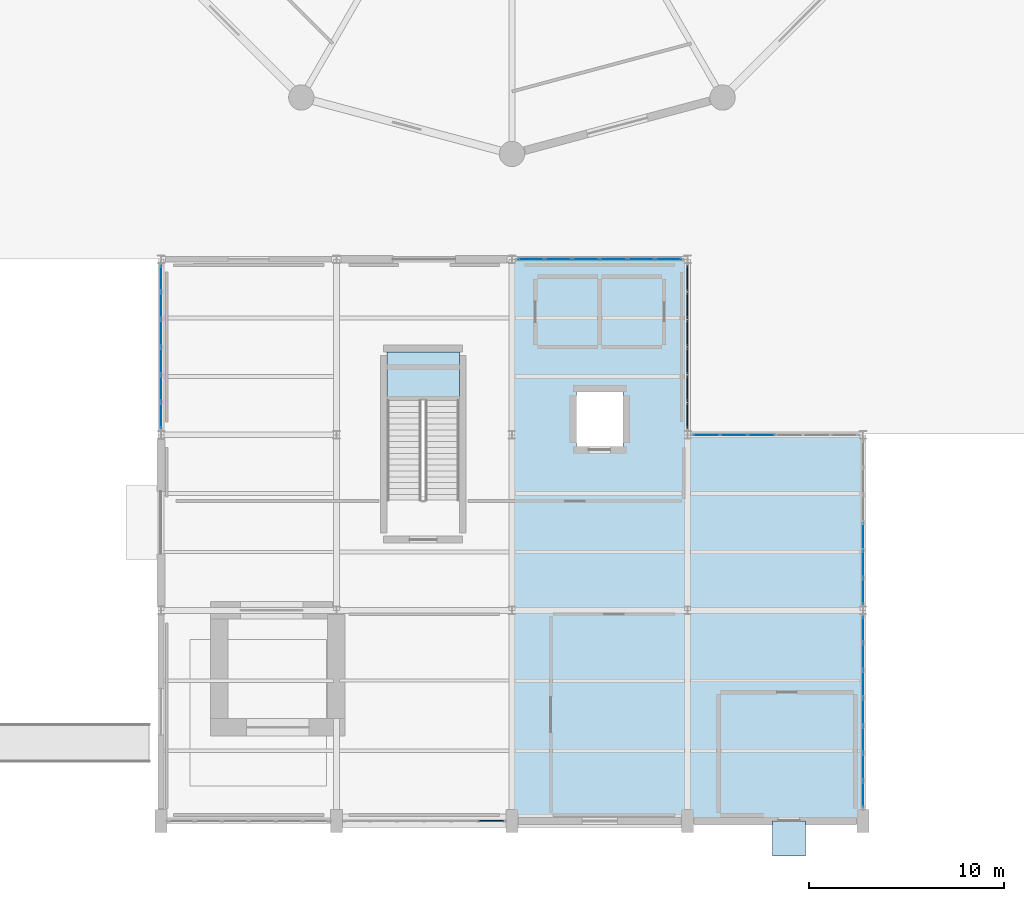
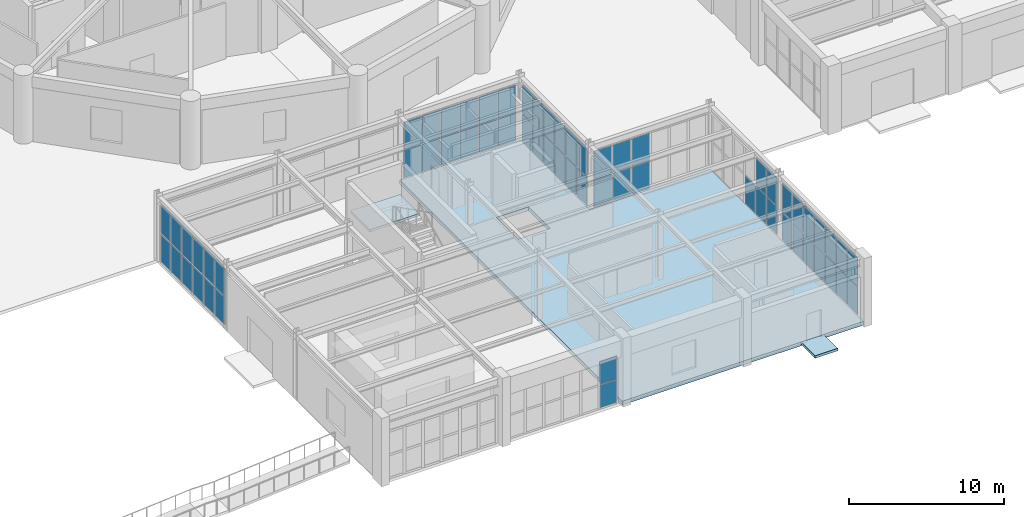
# One storey, part 103 of 140: 63 plates, 3 slabs, 8 elements without a shape of their own.
"""IFC4 building model written with IfcOpenShell, lengths in metres."""

from ifc_helpers import new_model, si_unit, direction, frame, origin, origin_2d, place, context, subcontext, project, spatial, polyline, rectangle, outline, extrude, material, layer, layer_set, type_object, element, aggregate, save


model = new_model("IFC4")

# Units and contexts
model_context = context("Model", 3, precision=1e-05, world=origin(), true_north=direction((0.0, 1.0)))
body_context = subcontext(model_context, "Body", "Model", "MODEL_VIEW")
ifc_project = project(units=[si_unit("LENGTHUNIT", "METRE"), si_unit("AREAUNIT", "SQUARE_METRE"), si_unit("VOLUMEUNIT", "CUBIC_METRE"), si_unit("PLANEANGLEUNIT", "RADIAN"), si_unit("MASSUNIT", "GRAM", prefix="KILO")], contexts=[model_context])

# Site, building, storey
site_placement = place(None, origin())
site = spatial("IfcSite", under=ifc_project, at=site_placement, CompositionType="ELEMENT")
building_placement = place(site_placement, origin())
building = spatial("IfcBuilding", under=site, at=building_placement, Name="Haizhuo Lancet Aquarium", CompositionType="ELEMENT")
storey_placement = place(building_placement, origin())
storey = spatial("IfcBuildingStorey", under=building, at=storey_placement, Name="L00", CompositionType="ELEMENT", Elevation=0.0)

# Curtain wall, plates
ifc_material_1 = material(Name="Aluminium 6063-T6", Category="aluminium")
curtain_wall_type_1 = type_object("IfcCurtainWallType", Name="CWO-8510x4530", PredefinedType="NOTDEFINED", material=ifc_material_1)
curtain_wall_1_placement = place(storey_placement, origin())
curtain_wall_1 = element("IfcCurtainWall", 1, at=curtain_wall_1_placement, inside=storey, type_object=curtain_wall_type_1, Name="L00 curtain wall CW-V4-L00-085", PredefinedType="NOTDEFINED")
ifc_material_2 = material(Name="Laminated Low-E Glass", Category="glass")
ifc_layer_1 = layer(ifc_material_2, 0.028076171875)
ifc_layer_set_1 = layer_set([ifc_layer_1], Name="Laminated Low-E Glass")
plate_type_1 = type_object("IfcPlateType", Name="CW-PNL-1", PredefinedType="CURTAIN_PANEL", material=ifc_layer_set_1)
plate_1_placement = place(storey_placement, frame((9.969970703125, -36.0, 0.06494140625), z_axis=(0.0, 0.0, 1.0), x_axis=(1.0, 0.0, 0.0)))
plate_1 = element("IfcPlate", 2, at=plate_1_placement, type_object=plate_type_1, Name="CWO-85x45 panel 1.1", PredefinedType="CURTAIN_PANEL", context=body_context, shape_type="SweptSolid", body=[
    extrude(rectangle(XDim=1.321044921875, YDim=0.028076171875, at=origin_2d()), origin(), (0.0, 0.0, 1.0), 2.16796875),
])
plate_2_placement = place(storey_placement, frame((9.969970703125, -36.0, 2.298583984375), z_axis=(0.0, 0.0, 1.0), x_axis=(1.0, 0.0, 0.0)))
plate_2 = element("IfcPlate", 3, at=plate_2_placement, type_object=plate_type_1, Name="CWO-85x45 panel 1.2", PredefinedType="CURTAIN_PANEL", context=body_context, shape_type="SweptSolid", body=[
    extrude(rectangle(XDim=1.321044921875, YDim=0.028076171875, at=origin_2d()), origin(), (0.0, 0.0, 1.0), 2.1689453125),
])
plate_3_placement = place(storey_placement, frame((11.3720703125, -36.0, 0.06494140625), z_axis=(0.0, 0.0, 1.0), x_axis=(1.0, 0.0, 0.0)))
plate_3 = element("IfcPlate", 4, at=plate_3_placement, type_object=plate_type_1, Name="CWO-85x45 panel 2.1", PredefinedType="CURTAIN_PANEL", context=body_context, shape_type="SweptSolid", body=[
    extrude(rectangle(XDim=1.35302734375, YDim=0.028076171875, at=origin_2d()), origin(), (0.0, 0.0, 1.0), 2.16796875),
])
plate_4_placement = place(storey_placement, frame((11.3720703125, -36.0, 2.298583984375), z_axis=(0.0, 0.0, 1.0), x_axis=(1.0, 0.0, 0.0)))
plate_4 = element("IfcPlate", 5, at=plate_4_placement, type_object=plate_type_1, Name="CWO-85x45 panel 2.2", PredefinedType="CURTAIN_PANEL", context=body_context, shape_type="SweptSolid", body=[
    extrude(rectangle(XDim=1.35302734375, YDim=0.028076171875, at=origin_2d()), origin(), (0.0, 0.0, 1.0), 2.1689453125),
])
plate_5_placement = place(storey_placement, frame((12.791015625, -36.0, 0.06494140625), z_axis=(0.0, 0.0, 1.0), x_axis=(1.0, 0.0, 0.0)))
plate_5 = element("IfcPlate", 6, at=plate_5_placement, type_object=plate_type_1, Name="CWO-85x45 panel 3.1", PredefinedType="CURTAIN_PANEL", context=body_context, shape_type="SweptSolid", body=[
    extrude(rectangle(XDim=1.35302734375, YDim=0.028076171875, at=origin_2d()), origin(), (0.0, 0.0, 1.0), 2.16796875),
])
plate_6_placement = place(storey_placement, frame((12.791015625, -36.0, 2.298583984375), z_axis=(0.0, 0.0, 1.0), x_axis=(1.0, 0.0, 0.0)))
plate_6 = element("IfcPlate", 7, at=plate_6_placement, type_object=plate_type_1, Name="CWO-85x45 panel 3.2", PredefinedType="CURTAIN_PANEL", context=body_context, shape_type="SweptSolid", body=[
    extrude(rectangle(XDim=1.35302734375, YDim=0.028076171875, at=origin_2d()), origin(), (0.0, 0.0, 1.0), 2.1689453125),
])
aggregate(curtain_wall_1, [plate_1, plate_2, plate_3, plate_4, plate_5, plate_6])

curtain_wall_type_2 = type_object("IfcCurtainWallType", Name="CWO-8510x4630", PredefinedType="NOTDEFINED", material=ifc_material_1)
curtain_wall_2_placement = place(storey_placement, origin())
curtain_wall_2 = element("IfcCurtainWall", 8, at=curtain_wall_2_placement, inside=storey, type_object=curtain_wall_type_2, Name="L00 curtain wall CW-V4-L00-086", PredefinedType="NOTDEFINED")
ifc_layer_2 = layer(ifc_material_2, 0.033935546875)
ifc_layer_set_2 = layer_set([ifc_layer_2], Name="Laminated Low-E Glass")
plate_type_2 = type_object("IfcPlateType", Name="CW-PNL-2", PredefinedType="CURTAIN_PANEL", material=ifc_layer_set_2)
plate_7_placement = place(storey_placement, frame((18.0, -41.208984375, 0.07568359375), z_axis=(0.0, 0.0, 1.0), x_axis=(0.0, -1.0, 0.0)))
plate_7 = element("IfcPlate", 9, at=plate_7_placement, type_object=plate_type_2, Name="CWO-85x46 panel 4.1", PredefinedType="CURTAIN_PANEL", context=body_context, shape_type="SweptSolid", body=[
    extrude(rectangle(XDim=1.343017578125, YDim=0.033935546875, at=origin_2d()), origin(), (0.0, 0.0, 1.0), 2.202880859375),
])
plate_8_placement = place(storey_placement, frame((18.0, -42.626953125, 0.07568359375), z_axis=(0.0, 0.0, 1.0), x_axis=(0.0, -1.0, 0.0)))
plate_8 = element("IfcPlate", 10, at=plate_8_placement, type_object=plate_type_2, Name="CWO-85x46 panel 5.1", PredefinedType="CURTAIN_PANEL", context=body_context, shape_type="SweptSolid", body=[
    extrude(rectangle(XDim=1.343017578125, YDim=0.033935546875, at=origin_2d()), origin(), (0.0, 0.0, 1.0), 2.202880859375),
])
plate_9_placement = place(storey_placement, frame((18.0, -42.626953125, 2.35302734375), z_axis=(0.0, 0.0, 1.0), x_axis=(0.0, -1.0, 0.0)))
plate_9 = element("IfcPlate", 11, at=plate_9_placement, type_object=plate_type_2, Name="CWO-85x46 panel 5.2", PredefinedType="CURTAIN_PANEL", context=body_context, shape_type="SweptSolid", body=[
    extrude(rectangle(XDim=1.343017578125, YDim=0.033935546875, at=origin_2d()), origin(), (0.0, 0.0, 1.0), 2.2041015625),
])
plate_10_placement = place(storey_placement, frame((18.0, -44.027099609375, 0.07568359375), z_axis=(0.0, 0.0, 1.0), x_axis=(0.0, -1.0, 0.0)))
plate_10 = element("IfcPlate", 12, at=plate_10_placement, type_object=plate_type_2, Name="CWO-85x46 panel 6.1", PredefinedType="CURTAIN_PANEL", context=body_context, shape_type="SweptSolid", body=[
    extrude(rectangle(XDim=1.305908203125, YDim=0.033935546875, at=origin_2d()), origin(), (0.0, 0.0, 1.0), 2.202880859375),
])
plate_11_placement = place(storey_placement, frame((18.0, -44.027099609375, 2.35302734375), z_axis=(0.0, 0.0, 1.0), x_axis=(0.0, -1.0, 0.0)))
plate_11 = element("IfcPlate", 13, at=plate_11_placement, type_object=plate_type_2, Name="CWO-85x46 panel 6.2", PredefinedType="CURTAIN_PANEL", context=body_context, shape_type="SweptSolid", body=[
    extrude(rectangle(XDim=1.305908203125, YDim=0.033935546875, at=origin_2d()), origin(), (0.0, 0.0, 1.0), 2.2041015625),
])
aggregate(curtain_wall_2, [plate_7, plate_8, plate_9, plate_10, plate_11])

curtain_wall_3_placement = place(storey_placement, origin())
curtain_wall_3 = element("IfcCurtainWall", 14, at=curtain_wall_3_placement, inside=storey, type_object=curtain_wall_type_2, Name="L00 curtain wall CW-V4-L00-090", PredefinedType="NOTDEFINED")
plate_12_placement = place(storey_placement, frame((-18.0, -35.02587890625, 0.080078125), z_axis=(0.0, 0.0, 1.0), x_axis=(0.0, 1.0, 0.0)))
plate_12 = element("IfcPlate", 15, at=plate_12_placement, type_object=plate_type_2, Name="CWO-85x46 panel 1.1", PredefinedType="CURTAIN_PANEL", context=body_context, shape_type="SweptSolid", body=[
    extrude(rectangle(XDim=1.298095703125, YDim=0.033935546875, at=origin_2d()), origin(), (0.0, 0.0, 1.0), 2.196044921875),
])
plate_13_placement = place(storey_placement, frame((-18.0, -35.02587890625, 2.35595703125), z_axis=(0.0, 0.0, 1.0), x_axis=(0.0, 1.0, 0.0)))
plate_13 = element("IfcPlate", 16, at=plate_13_placement, type_object=plate_type_2, Name="CWO-85x46 panel 1.2", PredefinedType="CURTAIN_PANEL", context=body_context, shape_type="SweptSolid", body=[
    extrude(rectangle(XDim=1.298095703125, YDim=0.033935546875, at=origin_2d()), origin(), (0.0, 0.0, 1.0), 2.196044921875),
])
plate_14_placement = place(storey_placement, frame((-18.0, -33.6279296875, 0.080078125), z_axis=(0.0, 0.0, 1.0), x_axis=(0.0, 1.0, 0.0)))
plate_14 = element("IfcPlate", 17, at=plate_14_placement, type_object=plate_type_2, Name="CWO-85x46 panel 2.1", PredefinedType="CURTAIN_PANEL", context=body_context, shape_type="SweptSolid", body=[
    extrude(rectangle(XDim=1.337890625, YDim=0.033935546875, at=origin_2d()), origin(), (0.0, 0.0, 1.0), 2.196044921875),
])
plate_15_placement = place(storey_placement, frame((-18.0, -33.6279296875, 2.35595703125), z_axis=(0.0, 0.0, 1.0), x_axis=(0.0, 1.0, 0.0)))
plate_15 = element("IfcPlate", 18, at=plate_15_placement, type_object=plate_type_2, Name="CWO-85x46 panel 2.2", PredefinedType="CURTAIN_PANEL", context=body_context, shape_type="SweptSolid", body=[
    extrude(rectangle(XDim=1.337890625, YDim=0.033935546875, at=origin_2d()), origin(), (0.0, 0.0, 1.0), 2.196044921875),
])
plate_16_placement = place(storey_placement, frame((-18.0, -32.208984375, 0.080078125), z_axis=(0.0, 0.0, 1.0), x_axis=(0.0, 1.0, 0.0)))
plate_16 = element("IfcPlate", 19, at=plate_16_placement, type_object=plate_type_2, Name="CWO-85x46 panel 3.1", PredefinedType="CURTAIN_PANEL", context=body_context, shape_type="SweptSolid", body=[
    extrude(rectangle(XDim=1.337890625, YDim=0.033935546875, at=origin_2d()), origin(), (0.0, 0.0, 1.0), 2.196044921875),
])
plate_17_placement = place(storey_placement, frame((-18.0, -32.208984375, 2.35595703125), z_axis=(0.0, 0.0, 1.0), x_axis=(0.0, 1.0, 0.0)))
plate_17 = element("IfcPlate", 20, at=plate_17_placement, type_object=plate_type_2, Name="CWO-85x46 panel 3.2", PredefinedType="CURTAIN_PANEL", context=body_context, shape_type="SweptSolid", body=[
    extrude(rectangle(XDim=1.337890625, YDim=0.033935546875, at=origin_2d()), origin(), (0.0, 0.0, 1.0), 2.196044921875),
])
plate_18_placement = place(storey_placement, frame((-18.0, -30.791015625, 0.080078125), z_axis=(0.0, 0.0, 1.0), x_axis=(0.0, 1.0, 0.0)))
plate_18 = element("IfcPlate", 21, at=plate_18_placement, type_object=plate_type_2, Name="CWO-85x46 panel 4.1", PredefinedType="CURTAIN_PANEL", context=body_context, shape_type="SweptSolid", body=[
    extrude(rectangle(XDim=1.337890625, YDim=0.033935546875, at=origin_2d()), origin(), (0.0, 0.0, 1.0), 2.196044921875),
])
plate_19_placement = place(storey_placement, frame((-18.0, -30.791015625, 2.35595703125), z_axis=(0.0, 0.0, 1.0), x_axis=(0.0, 1.0, 0.0)))
plate_19 = element("IfcPlate", 22, at=plate_19_placement, type_object=plate_type_2, Name="CWO-85x46 panel 4.2", PredefinedType="CURTAIN_PANEL", context=body_context, shape_type="SweptSolid", body=[
    extrude(rectangle(XDim=1.337890625, YDim=0.033935546875, at=origin_2d()), origin(), (0.0, 0.0, 1.0), 2.196044921875),
])
plate_20_placement = place(storey_placement, frame((-18.0, -29.373046875, 0.080078125), z_axis=(0.0, 0.0, 1.0), x_axis=(0.0, 1.0, 0.0)))
plate_20 = element("IfcPlate", 23, at=plate_20_placement, type_object=plate_type_2, Name="CWO-85x46 panel 5.1", PredefinedType="CURTAIN_PANEL", context=body_context, shape_type="SweptSolid", body=[
    extrude(rectangle(XDim=1.337890625, YDim=0.033935546875, at=origin_2d()), origin(), (0.0, 0.0, 1.0), 2.196044921875),
])
plate_21_placement = place(storey_placement, frame((-18.0, -29.373046875, 2.35595703125), z_axis=(0.0, 0.0, 1.0), x_axis=(0.0, 1.0, 0.0)))
plate_21 = element("IfcPlate", 24, at=plate_21_placement, type_object=plate_type_2, Name="CWO-85x46 panel 5.2", PredefinedType="CURTAIN_PANEL", context=body_context, shape_type="SweptSolid", body=[
    extrude(rectangle(XDim=1.337890625, YDim=0.033935546875, at=origin_2d()), origin(), (0.0, 0.0, 1.0), 2.196044921875),
])
plate_22_placement = place(storey_placement, frame((-18.0, -27.97412109375, 0.080078125), z_axis=(0.0, 0.0, 1.0), x_axis=(0.0, 1.0, 0.0)))
plate_22 = element("IfcPlate", 25, at=plate_22_placement, type_object=plate_type_2, Name="CWO-85x46 panel 6.1", PredefinedType="CURTAIN_PANEL", context=body_context, shape_type="SweptSolid", body=[
    extrude(rectangle(XDim=1.298095703125, YDim=0.033935546875, at=origin_2d()), origin(), (0.0, 0.0, 1.0), 2.196044921875),
])
plate_23_placement = place(storey_placement, frame((-18.0, -27.97412109375, 2.35595703125), z_axis=(0.0, 0.0, 1.0), x_axis=(0.0, 1.0, 0.0)))
plate_23 = element("IfcPlate", 26, at=plate_23_placement, type_object=plate_type_2, Name="CWO-85x46 panel 6.2", PredefinedType="CURTAIN_PANEL", context=body_context, shape_type="SweptSolid", body=[
    extrude(rectangle(XDim=1.298095703125, YDim=0.033935546875, at=origin_2d()), origin(), (0.0, 0.0, 1.0), 2.196044921875),
])
aggregate(curtain_wall_3, [plate_12, plate_13, plate_14, plate_15, plate_16, plate_17, plate_18, plate_19, plate_20, plate_21, plate_22, plate_23])

curtain_wall_4_placement = place(storey_placement, origin())
curtain_wall_4 = element("IfcCurtainWall", 27, at=curtain_wall_4_placement, inside=storey, type_object=curtain_wall_type_1, Name="L00 curtain wall CW-V4-L00-083", PredefinedType="NOTDEFINED")
ifc_layer_3 = layer(ifc_material_2, 0.0419921875)
ifc_layer_set_3 = layer_set([ifc_layer_3], Name="Laminated Low-E Glass")
plate_type_3 = type_object("IfcPlateType", Name="CW-PNL-3", PredefinedType="CURTAIN_PANEL", material=ifc_layer_set_3)
plate_24_placement = place(storey_placement, frame((0.972900390625, -27.0, 0.07568359375), z_axis=(0.0, 0.0, 1.0), x_axis=(1.0, 0.0, 0.0)))
plate_24 = element("IfcPlate", 28, at=plate_24_placement, type_object=plate_type_3, Name="CWO-85x45 panel 1.1", PredefinedType="CURTAIN_PANEL", context=body_context, shape_type="SweptSolid", body=[
    extrude(rectangle(XDim=1.305908203125, YDim=0.0419921875, at=origin_2d()), origin(), (0.0, 0.0, 1.0), 2.153076171875),
])
plate_25_placement = place(storey_placement, frame((0.972900390625, -27.0, 2.302734375), z_axis=(0.0, 0.0, 1.0), x_axis=(1.0, 0.0, 0.0)))
plate_25 = element("IfcPlate", 29, at=plate_25_placement, type_object=plate_type_3, Name="CWO-85x45 panel 1.2", PredefinedType="CURTAIN_PANEL", context=body_context, shape_type="SweptSolid", body=[
    extrude(rectangle(XDim=1.305908203125, YDim=0.0419921875, at=origin_2d()), origin(), (0.0, 0.0, 1.0), 2.154052734375),
])
plate_26_placement = place(storey_placement, frame((2.373046875, -27.0, 0.07568359375), z_axis=(0.0, 0.0, 1.0), x_axis=(1.0, 0.0, 0.0)))
plate_26 = element("IfcPlate", 30, at=plate_26_placement, type_object=plate_type_3, Name="CWO-85x45 panel 2.1", PredefinedType="CURTAIN_PANEL", context=body_context, shape_type="SweptSolid", body=[
    extrude(rectangle(XDim=1.343017578125, YDim=0.0419921875, at=origin_2d()), origin(), (0.0, 0.0, 1.0), 2.153076171875),
])
plate_27_placement = place(storey_placement, frame((2.373046875, -27.0, 2.302734375), z_axis=(0.0, 0.0, 1.0), x_axis=(1.0, 0.0, 0.0)))
plate_27 = element("IfcPlate", 31, at=plate_27_placement, type_object=plate_type_3, Name="CWO-85x45 panel 2.2", PredefinedType="CURTAIN_PANEL", context=body_context, shape_type="SweptSolid", body=[
    extrude(rectangle(XDim=1.343017578125, YDim=0.0419921875, at=origin_2d()), origin(), (0.0, 0.0, 1.0), 2.154052734375),
])
plate_28_placement = place(storey_placement, frame((3.791015625, -27.0, 0.07568359375), z_axis=(0.0, 0.0, 1.0), x_axis=(1.0, 0.0, 0.0)))
plate_28 = element("IfcPlate", 32, at=plate_28_placement, type_object=plate_type_3, Name="CWO-85x45 panel 3.1", PredefinedType="CURTAIN_PANEL", context=body_context, shape_type="SweptSolid", body=[
    extrude(rectangle(XDim=1.343017578125, YDim=0.0419921875, at=origin_2d()), origin(), (0.0, 0.0, 1.0), 2.153076171875),
])
plate_29_placement = place(storey_placement, frame((3.791015625, -27.0, 2.302734375), z_axis=(0.0, 0.0, 1.0), x_axis=(1.0, 0.0, 0.0)))
plate_29 = element("IfcPlate", 33, at=plate_29_placement, type_object=plate_type_3, Name="CWO-85x45 panel 3.2", PredefinedType="CURTAIN_PANEL", context=body_context, shape_type="SweptSolid", body=[
    extrude(rectangle(XDim=1.343017578125, YDim=0.0419921875, at=origin_2d()), origin(), (0.0, 0.0, 1.0), 2.154052734375),
])
plate_30_placement = place(storey_placement, frame((5.208984375, -27.0, 0.07568359375), z_axis=(0.0, 0.0, 1.0), x_axis=(1.0, 0.0, 0.0)))
plate_30 = element("IfcPlate", 34, at=plate_30_placement, type_object=plate_type_3, Name="CWO-85x45 panel 4.1", PredefinedType="CURTAIN_PANEL", context=body_context, shape_type="SweptSolid", body=[
    extrude(rectangle(XDim=1.343017578125, YDim=0.0419921875, at=origin_2d()), origin(), (0.0, 0.0, 1.0), 2.153076171875),
])
plate_31_placement = place(storey_placement, frame((5.208984375, -27.0, 2.302734375), z_axis=(0.0, 0.0, 1.0), x_axis=(1.0, 0.0, 0.0)))
plate_31 = element("IfcPlate", 35, at=plate_31_placement, type_object=plate_type_3, Name="CWO-85x45 panel 4.2", PredefinedType="CURTAIN_PANEL", context=body_context, shape_type="SweptSolid", body=[
    extrude(rectangle(XDim=1.343017578125, YDim=0.0419921875, at=origin_2d()), origin(), (0.0, 0.0, 1.0), 2.154052734375),
])
plate_32_placement = place(storey_placement, frame((6.6279296875, -27.0, 0.07568359375), z_axis=(0.0, 0.0, 1.0), x_axis=(1.0, 0.0, 0.0)))
plate_32 = element("IfcPlate", 36, at=plate_32_placement, type_object=plate_type_3, Name="CWO-85x45 panel 5.1", PredefinedType="CURTAIN_PANEL", context=body_context, shape_type="SweptSolid", body=[
    extrude(rectangle(XDim=1.343017578125, YDim=0.0419921875, at=origin_2d()), origin(), (0.0, 0.0, 1.0), 2.153076171875),
])
plate_33_placement = place(storey_placement, frame((6.6279296875, -27.0, 2.302734375), z_axis=(0.0, 0.0, 1.0), x_axis=(1.0, 0.0, 0.0)))
plate_33 = element("IfcPlate", 37, at=plate_33_placement, type_object=plate_type_3, Name="CWO-85x45 panel 5.2", PredefinedType="CURTAIN_PANEL", context=body_context, shape_type="SweptSolid", body=[
    extrude(rectangle(XDim=1.343017578125, YDim=0.0419921875, at=origin_2d()), origin(), (0.0, 0.0, 1.0), 2.154052734375),
])
plate_34_placement = place(storey_placement, frame((8.027099609375, -27.0, 0.07568359375), z_axis=(0.0, 0.0, 1.0), x_axis=(1.0, 0.0, 0.0)))
plate_34 = element("IfcPlate", 38, at=plate_34_placement, type_object=plate_type_3, Name="CWO-85x45 panel 6.1", PredefinedType="CURTAIN_PANEL", context=body_context, shape_type="SweptSolid", body=[
    extrude(rectangle(XDim=1.305908203125, YDim=0.0419921875, at=origin_2d()), origin(), (0.0, 0.0, 1.0), 2.153076171875),
])
plate_35_placement = place(storey_placement, frame((8.027099609375, -27.0, 2.302734375), z_axis=(0.0, 0.0, 1.0), x_axis=(1.0, 0.0, 0.0)))
plate_35 = element("IfcPlate", 39, at=plate_35_placement, type_object=plate_type_3, Name="CWO-85x45 panel 6.2", PredefinedType="CURTAIN_PANEL", context=body_context, shape_type="SweptSolid", body=[
    extrude(rectangle(XDim=1.305908203125, YDim=0.0419921875, at=origin_2d()), origin(), (0.0, 0.0, 1.0), 2.154052734375),
])
aggregate(curtain_wall_4, [plate_24, plate_25, plate_26, plate_27, plate_28, plate_29, plate_30, plate_31, plate_32, plate_33, plate_34, plate_35])

curtain_wall_type_3 = type_object("IfcCurtainWallType", Name="CWO-9910x4630", PredefinedType="NOTDEFINED", material=ifc_material_1)
curtain_wall_5_placement = place(storey_placement, origin())
curtain_wall_5 = element("IfcCurtainWall", 40, at=curtain_wall_5_placement, inside=storey, type_object=curtain_wall_type_3, Name="L00 curtain wall CW-V4-L00-087", PredefinedType="NOTDEFINED")
plate_36_placement = place(storey_placement, frame((18.0, -45.972900390625, 0.080078125), z_axis=(0.0, 0.0, 1.0), x_axis=(0.0, -1.0, 0.0)))
plate_36 = element("IfcPlate", 41, at=plate_36_placement, type_object=plate_type_3, Name="CWO-99x46 panel 1.1", PredefinedType="CURTAIN_PANEL", context=body_context, shape_type="SweptSolid", body=[
    extrude(rectangle(XDim=1.2958984375, YDim=0.0419921875, at=origin_2d()), origin(), (0.0, 0.0, 1.0), 2.196044921875),
])
plate_37_placement = place(storey_placement, frame((18.0, -45.972900390625, 2.35595703125), z_axis=(0.0, 0.0, 1.0), x_axis=(0.0, -1.0, 0.0)))
plate_37 = element("IfcPlate", 42, at=plate_37_placement, type_object=plate_type_3, Name="CWO-99x46 panel 1.2", PredefinedType="CURTAIN_PANEL", context=body_context, shape_type="SweptSolid", body=[
    extrude(rectangle(XDim=1.2958984375, YDim=0.0419921875, at=origin_2d()), origin(), (0.0, 0.0, 1.0), 2.196044921875),
])
plate_38_placement = place(storey_placement, frame((18.0, -47.368896484375, 0.080078125), z_axis=(0.0, 0.0, 1.0), x_axis=(0.0, -1.0, 0.0)))
plate_38 = element("IfcPlate", 43, at=plate_38_placement, type_object=plate_type_3, Name="CWO-99x46 panel 2.1", PredefinedType="CURTAIN_PANEL", context=body_context, shape_type="SweptSolid", body=[
    extrude(rectangle(XDim=1.3359375, YDim=0.0419921875, at=origin_2d()), origin(), (0.0, 0.0, 1.0), 2.196044921875),
])
plate_39_placement = place(storey_placement, frame((18.0, -47.368896484375, 2.35595703125), z_axis=(0.0, 0.0, 1.0), x_axis=(0.0, -1.0, 0.0)))
plate_39 = element("IfcPlate", 44, at=plate_39_placement, type_object=plate_type_3, Name="CWO-99x46 panel 2.2", PredefinedType="CURTAIN_PANEL", context=body_context, shape_type="SweptSolid", body=[
    extrude(rectangle(XDim=1.3359375, YDim=0.0419921875, at=origin_2d()), origin(), (0.0, 0.0, 1.0), 2.196044921875),
])
plate_40_placement = place(storey_placement, frame((18.0, -48.783935546875, 0.080078125), z_axis=(0.0, 0.0, 1.0), x_axis=(0.0, -1.0, 0.0)))
plate_40 = element("IfcPlate", 45, at=plate_40_placement, type_object=plate_type_3, Name="CWO-99x46 panel 3.1", PredefinedType="CURTAIN_PANEL", context=body_context, shape_type="SweptSolid", body=[
    extrude(rectangle(XDim=1.3359375, YDim=0.0419921875, at=origin_2d()), origin(), (0.0, 0.0, 1.0), 2.196044921875),
])
plate_41_placement = place(storey_placement, frame((18.0, -48.783935546875, 2.35595703125), z_axis=(0.0, 0.0, 1.0), x_axis=(0.0, -1.0, 0.0)))
plate_41 = element("IfcPlate", 46, at=plate_41_placement, type_object=plate_type_3, Name="CWO-99x46 panel 3.2", PredefinedType="CURTAIN_PANEL", context=body_context, shape_type="SweptSolid", body=[
    extrude(rectangle(XDim=1.3359375, YDim=0.0419921875, at=origin_2d()), origin(), (0.0, 0.0, 1.0), 2.196044921875),
])
plate_42_placement = place(storey_placement, frame((18.0, -50.199951171875, 0.080078125), z_axis=(0.0, 0.0, 1.0), x_axis=(0.0, -1.0, 0.0)))
plate_42 = element("IfcPlate", 47, at=plate_42_placement, type_object=plate_type_3, Name="CWO-99x46 panel 4.1", PredefinedType="CURTAIN_PANEL", context=body_context, shape_type="SweptSolid", body=[
    extrude(rectangle(XDim=1.3359375, YDim=0.0419921875, at=origin_2d()), origin(), (0.0, 0.0, 1.0), 2.196044921875),
])
plate_43_placement = place(storey_placement, frame((18.0, -50.199951171875, 2.35595703125), z_axis=(0.0, 0.0, 1.0), x_axis=(0.0, -1.0, 0.0)))
plate_43 = element("IfcPlate", 48, at=plate_43_placement, type_object=plate_type_3, Name="CWO-99x46 panel 4.2", PredefinedType="CURTAIN_PANEL", context=body_context, shape_type="SweptSolid", body=[
    extrude(rectangle(XDim=1.3359375, YDim=0.0419921875, at=origin_2d()), origin(), (0.0, 0.0, 1.0), 2.196044921875),
])
plate_44_placement = place(storey_placement, frame((18.0, -51.615966796875, 0.080078125), z_axis=(0.0, 0.0, 1.0), x_axis=(0.0, -1.0, 0.0)))
plate_44 = element("IfcPlate", 49, at=plate_44_placement, type_object=plate_type_3, Name="CWO-99x46 panel 5.1", PredefinedType="CURTAIN_PANEL", context=body_context, shape_type="SweptSolid", body=[
    extrude(rectangle(XDim=1.3359375, YDim=0.0419921875, at=origin_2d()), origin(), (0.0, 0.0, 1.0), 2.196044921875),
])
plate_45_placement = place(storey_placement, frame((18.0, -51.615966796875, 2.35595703125), z_axis=(0.0, 0.0, 1.0), x_axis=(0.0, -1.0, 0.0)))
plate_45 = element("IfcPlate", 50, at=plate_45_placement, type_object=plate_type_3, Name="CWO-99x46 panel 5.2", PredefinedType="CURTAIN_PANEL", context=body_context, shape_type="SweptSolid", body=[
    extrude(rectangle(XDim=1.3359375, YDim=0.0419921875, at=origin_2d()), origin(), (0.0, 0.0, 1.0), 2.196044921875),
])
plate_46_placement = place(storey_placement, frame((18.0, -53.031005859375, 0.080078125), z_axis=(0.0, 0.0, 1.0), x_axis=(0.0, -1.0, 0.0)))
plate_46 = element("IfcPlate", 51, at=plate_46_placement, type_object=plate_type_3, Name="CWO-99x46 panel 6.1", PredefinedType="CURTAIN_PANEL", context=body_context, shape_type="SweptSolid", body=[
    extrude(rectangle(XDim=1.3359375, YDim=0.0419921875, at=origin_2d()), origin(), (0.0, 0.0, 1.0), 2.196044921875),
])
plate_47_placement = place(storey_placement, frame((18.0, -53.031005859375, 2.35595703125), z_axis=(0.0, 0.0, 1.0), x_axis=(0.0, -1.0, 0.0)))
plate_47 = element("IfcPlate", 52, at=plate_47_placement, type_object=plate_type_3, Name="CWO-99x46 panel 6.2", PredefinedType="CURTAIN_PANEL", context=body_context, shape_type="SweptSolid", body=[
    extrude(rectangle(XDim=1.3359375, YDim=0.0419921875, at=origin_2d()), origin(), (0.0, 0.0, 1.0), 2.196044921875),
])
plate_48_placement = place(storey_placement, frame((18.0, -54.427001953125, 0.080078125), z_axis=(0.0, 0.0, 1.0), x_axis=(0.0, -1.0, 0.0)))
plate_48 = element("IfcPlate", 53, at=plate_48_placement, type_object=plate_type_3, Name="CWO-99x46 panel 7.1", PredefinedType="CURTAIN_PANEL", context=body_context, shape_type="SweptSolid", body=[
    extrude(rectangle(XDim=1.2958984375, YDim=0.0419921875, at=origin_2d()), origin(), (0.0, 0.0, 1.0), 2.196044921875),
])
plate_49_placement = place(storey_placement, frame((18.0, -54.427001953125, 2.35595703125), z_axis=(0.0, 0.0, 1.0), x_axis=(0.0, -1.0, 0.0)))
plate_49 = element("IfcPlate", 54, at=plate_49_placement, type_object=plate_type_3, Name="CWO-99x46 panel 7.2", PredefinedType="CURTAIN_PANEL", context=body_context, shape_type="SweptSolid", body=[
    extrude(rectangle(XDim=1.2958984375, YDim=0.0419921875, at=origin_2d()), origin(), (0.0, 0.0, 1.0), 2.196044921875),
])
aggregate(curtain_wall_5, [plate_36, plate_37, plate_38, plate_39, plate_40, plate_41, plate_42, plate_43, plate_44, plate_45, plate_46, plate_47, plate_48, plate_49])

curtain_wall_6_placement = place(storey_placement, origin())
curtain_wall_6 = element("IfcCurtainWall", 55, at=curtain_wall_6_placement, inside=storey, type_object=curtain_wall_type_2, Name="L00 curtain wall CW-V4-L00-084", PredefinedType="NOTDEFINED")
ifc_layer_4 = layer(ifc_material_2, 0.052001953125)
ifc_layer_set_4 = layer_set([ifc_layer_4], Name="Laminated Low-E Glass")
plate_type_4 = type_object("IfcPlateType", Name="CW-PNL-4", PredefinedType="CURTAIN_PANEL", material=ifc_layer_set_4)
plate_50_placement = place(storey_placement, frame((9.0, -27.97412109375, 0.080078125), z_axis=(0.0, 0.0, 1.0), x_axis=(0.0, -1.0, 0.0)))
plate_50 = element("IfcPlate", 56, at=plate_50_placement, type_object=plate_type_4, Name="CWO-85x46 panel 1.1", PredefinedType="CURTAIN_PANEL", context=body_context, shape_type="SweptSolid", body=[
    extrude(rectangle(XDim=1.298095703125, YDim=0.052001953125, at=origin_2d()), origin(), (0.0, 0.0, 1.0), 2.196044921875),
])
plate_51_placement = place(storey_placement, frame((9.0, -27.97412109375, 2.35595703125), z_axis=(0.0, 0.0, 1.0), x_axis=(0.0, -1.0, 0.0)))
plate_51 = element("IfcPlate", 57, at=plate_51_placement, type_object=plate_type_4, Name="CWO-85x46 panel 1.2", PredefinedType="CURTAIN_PANEL", context=body_context, shape_type="SweptSolid", body=[
    extrude(rectangle(XDim=1.298095703125, YDim=0.052001953125, at=origin_2d()), origin(), (0.0, 0.0, 1.0), 2.196044921875),
])
plate_52_placement = place(storey_placement, frame((9.0, -29.373046875, 0.080078125), z_axis=(0.0, 0.0, 1.0), x_axis=(0.0, -1.0, 0.0)))
plate_52 = element("IfcPlate", 58, at=plate_52_placement, type_object=plate_type_4, Name="CWO-85x46 panel 2.1", PredefinedType="CURTAIN_PANEL", context=body_context, shape_type="SweptSolid", body=[
    extrude(rectangle(XDim=1.337890625, YDim=0.052001953125, at=origin_2d()), origin(), (0.0, 0.0, 1.0), 2.196044921875),
])
plate_53_placement = place(storey_placement, frame((9.0, -29.373046875, 2.35595703125), z_axis=(0.0, 0.0, 1.0), x_axis=(0.0, -1.0, 0.0)))
plate_53 = element("IfcPlate", 59, at=plate_53_placement, type_object=plate_type_4, Name="CWO-85x46 panel 2.2", PredefinedType="CURTAIN_PANEL", context=body_context, shape_type="SweptSolid", body=[
    extrude(rectangle(XDim=1.337890625, YDim=0.052001953125, at=origin_2d()), origin(), (0.0, 0.0, 1.0), 2.196044921875),
])
plate_54_placement = place(storey_placement, frame((9.0, -30.791015625, 0.080078125), z_axis=(0.0, 0.0, 1.0), x_axis=(0.0, -1.0, 0.0)))
plate_54 = element("IfcPlate", 60, at=plate_54_placement, type_object=plate_type_4, Name="CWO-85x46 panel 3.1", PredefinedType="CURTAIN_PANEL", context=body_context, shape_type="SweptSolid", body=[
    extrude(rectangle(XDim=1.337890625, YDim=0.052001953125, at=origin_2d()), origin(), (0.0, 0.0, 1.0), 2.196044921875),
])
plate_55_placement = place(storey_placement, frame((9.0, -30.791015625, 2.35595703125), z_axis=(0.0, 0.0, 1.0), x_axis=(0.0, -1.0, 0.0)))
plate_55 = element("IfcPlate", 61, at=plate_55_placement, type_object=plate_type_4, Name="CWO-85x46 panel 3.2", PredefinedType="CURTAIN_PANEL", context=body_context, shape_type="SweptSolid", body=[
    extrude(rectangle(XDim=1.337890625, YDim=0.052001953125, at=origin_2d()), origin(), (0.0, 0.0, 1.0), 2.196044921875),
])
plate_56_placement = place(storey_placement, frame((9.0, -32.208984375, 0.080078125), z_axis=(0.0, 0.0, 1.0), x_axis=(0.0, -1.0, 0.0)))
plate_56 = element("IfcPlate", 62, at=plate_56_placement, type_object=plate_type_4, Name="CWO-85x46 panel 4.1", PredefinedType="CURTAIN_PANEL", context=body_context, shape_type="SweptSolid", body=[
    extrude(rectangle(XDim=1.337890625, YDim=0.052001953125, at=origin_2d()), origin(), (0.0, 0.0, 1.0), 2.196044921875),
])
plate_57_placement = place(storey_placement, frame((9.0, -32.208984375, 2.35595703125), z_axis=(0.0, 0.0, 1.0), x_axis=(0.0, -1.0, 0.0)))
plate_57 = element("IfcPlate", 63, at=plate_57_placement, type_object=plate_type_4, Name="CWO-85x46 panel 4.2", PredefinedType="CURTAIN_PANEL", context=body_context, shape_type="SweptSolid", body=[
    extrude(rectangle(XDim=1.337890625, YDim=0.052001953125, at=origin_2d()), origin(), (0.0, 0.0, 1.0), 2.196044921875),
])
plate_58_placement = place(storey_placement, frame((9.0, -33.6279296875, 0.080078125), z_axis=(0.0, 0.0, 1.0), x_axis=(0.0, -1.0, 0.0)))
plate_58 = element("IfcPlate", 64, at=plate_58_placement, type_object=plate_type_4, Name="CWO-85x46 panel 5.1", PredefinedType="CURTAIN_PANEL", context=body_context, shape_type="SweptSolid", body=[
    extrude(rectangle(XDim=1.337890625, YDim=0.052001953125, at=origin_2d()), origin(), (0.0, 0.0, 1.0), 2.196044921875),
])
plate_59_placement = place(storey_placement, frame((9.0, -33.6279296875, 2.35595703125), z_axis=(0.0, 0.0, 1.0), x_axis=(0.0, -1.0, 0.0)))
plate_59 = element("IfcPlate", 65, at=plate_59_placement, type_object=plate_type_4, Name="CWO-85x46 panel 5.2", PredefinedType="CURTAIN_PANEL", context=body_context, shape_type="SweptSolid", body=[
    extrude(rectangle(XDim=1.337890625, YDim=0.052001953125, at=origin_2d()), origin(), (0.0, 0.0, 1.0), 2.196044921875),
])
plate_60_placement = place(storey_placement, frame((9.0, -35.02587890625, 0.080078125), z_axis=(0.0, 0.0, 1.0), x_axis=(0.0, -1.0, 0.0)))
plate_60 = element("IfcPlate", 66, at=plate_60_placement, type_object=plate_type_4, Name="CWO-85x46 panel 6.1", PredefinedType="CURTAIN_PANEL", context=body_context, shape_type="SweptSolid", body=[
    extrude(rectangle(XDim=1.298095703125, YDim=0.052001953125, at=origin_2d()), origin(), (0.0, 0.0, 1.0), 2.196044921875),
])
plate_61_placement = place(storey_placement, frame((9.0, -35.02587890625, 2.35595703125), z_axis=(0.0, 0.0, 1.0), x_axis=(0.0, -1.0, 0.0)))
plate_61 = element("IfcPlate", 67, at=plate_61_placement, type_object=plate_type_4, Name="CWO-85x46 panel 6.2", PredefinedType="CURTAIN_PANEL", context=body_context, shape_type="SweptSolid", body=[
    extrude(rectangle(XDim=1.298095703125, YDim=0.052001953125, at=origin_2d()), origin(), (0.0, 0.0, 1.0), 2.196044921875),
])
aggregate(curtain_wall_6, [plate_50, plate_51, plate_52, plate_53, plate_54, plate_55, plate_56, plate_57, plate_58, plate_59, plate_60, plate_61])

curtain_wall_type_4 = type_object("IfcCurtainWallType", Name="CWO-8310x3770", PredefinedType="NOTDEFINED", material=ifc_material_1)
curtain_wall_7_placement = place(storey_placement, origin())
curtain_wall_7 = element("IfcCurtainWall", 68, at=curtain_wall_7_placement, inside=storey, type_object=curtain_wall_type_4, Name="L00 curtain wall CW-V4-L00-088", PredefinedType="NOTDEFINED")
plate_62_placement = place(storey_placement, frame((-1.053955078125, -55.800048828125, 0.06494140625), z_axis=(0.0, 0.0, 1.0), x_axis=(-1.0, 0.0, 0.0)))
plate_62 = element("IfcPlate", 69, at=plate_62_placement, type_object=plate_type_4, Name="CWO-83x37 panel 1.1", PredefinedType="CURTAIN_PANEL", context=body_context, shape_type="SweptSolid", body=[
    extrude(rectangle(XDim=1.287109375, YDim=0.052001953125, at=origin_2d()), origin(), (0.0, 0.0, 1.0), 1.7880859375),
])
plate_63_placement = place(storey_placement, frame((-1.053955078125, -55.800048828125, 1.91748046875), z_axis=(0.0, 0.0, 1.0), x_axis=(-1.0, 0.0, 0.0)))
plate_63 = element("IfcPlate", 70, at=plate_63_placement, type_object=plate_type_4, Name="CWO-83x37 panel 1.2", PredefinedType="CURTAIN_PANEL", context=body_context, shape_type="SweptSolid", body=[
    extrude(rectangle(XDim=1.287109375, YDim=0.052001953125, at=origin_2d()), origin(), (0.0, 0.0, 1.0), 1.787109375),
])
aggregate(curtain_wall_7, [plate_62, plate_63])

# Stair, slab
ifc_material_3 = material(Name="Concrete C40/50", Category="concrete")
stair_type = type_object("IfcStairType", Name="STR-HT-1750-54", PredefinedType="HALF_TURN_STAIR", material=ifc_material_3)
stair_placement = place(storey_placement, origin())
stair = element("IfcStair", 71, at=stair_placement, inside=storey, type_object=stair_type, Name="L00 enclosed exit stair ST-06", PredefinedType="HALF_TURN_STAIR")
ifc_layer_5 = layer(ifc_material_3, 0.199951171875)
ifc_layer_set_5 = layer_set([ifc_layer_5], Name="Concrete C40/50")
slab_type_1 = type_object("IfcSlabType", Name="SLB-LND-1750", PredefinedType="LANDING", material=ifc_layer_set_5)
slab_1_placement = place(storey_placement, frame((0.0, 0.0, 2.5)))
slab_1 = element("IfcSlab", 72, at=slab_1_placement, type_object=slab_type_1, Name="ST-45 landing 1", PredefinedType="LANDING", context=body_context, shape_type="SweptSolid", body=[
    extrude(outline(polyline([(-2.699951171875, -34.25), (-2.699951171875, -31.75), (-6.39990234375, -31.75), (-6.39990234375, -34.25), (-2.699951171875, -34.25)])), origin(), (0.0, 0.0, 1.0), 0.199951171875),
])
aggregate(stair, [slab_1])

# Slabs
ifc_layer_6 = layer(ifc_material_3, 0.300048828125)
ifc_layer_set_6 = layer_set([ifc_layer_6], Name="Concrete C40/50")
slab_type_2 = type_object("IfcSlabType", Name="SLB-PLINTH-300", PredefinedType="FLOOR", material=ifc_layer_set_6)
slab_2_placement = place(storey_placement, frame((0.0, 0.0, -0.300048828125)))
element("IfcSlab", 73, at=slab_2_placement, inside=storey, type_object=slab_type_2, Name="L00 structural slab SL-L00-V4-02", PredefinedType="FLOOR", context=body_context, shape_type="SweptSolid", body=[
    extrude(outline(polyline([(18.0, -36.0), (9.0, -36.0), (9.0, -27.0), (0.0, -27.0), (0.0, -55.800048828125), (18.0, -55.800048828125), (18.0, -36.0)]), holes=[polyline([(3.300048828125, -36.60009765625), (5.699951171875, -36.60009765625), (5.699951171875, -33.800048828125), (3.300048828125, -33.800048828125), (3.300048828125, -36.60009765625)])]), origin(), (0.0, 0.0, 1.0), 0.300048828125),
])
ifc_material_4 = material(Name="Shandong Grey Limestone Ashlar", Category="masonry")
slab_type_3 = type_object("IfcSlabType", Name="SLB-PV-200", PredefinedType="BASESLAB", material=ifc_material_4)
slab_3_placement = place(storey_placement, frame((0.0, 0.0, -0.199951171875)))
element("IfcSlab", 74, at=slab_3_placement, inside=storey, type_object=slab_type_3, material=ifc_material_4, Name="At-grade accessible entrance forecourt paving 4", PredefinedType="BASESLAB", context=body_context, shape_type="SweptSolid", body=[
    extrude(outline(polyline([(13.35009765625, -55.804931640625), (13.35009765625, -57.60009765625), (15.050048828125, -57.60009765625), (15.050048828125, -55.804931640625), (13.35009765625, -55.804931640625)])), origin(), (0.0, 0.0, 1.0), 0.199951171875),
])

save(model, "model.ifc")
